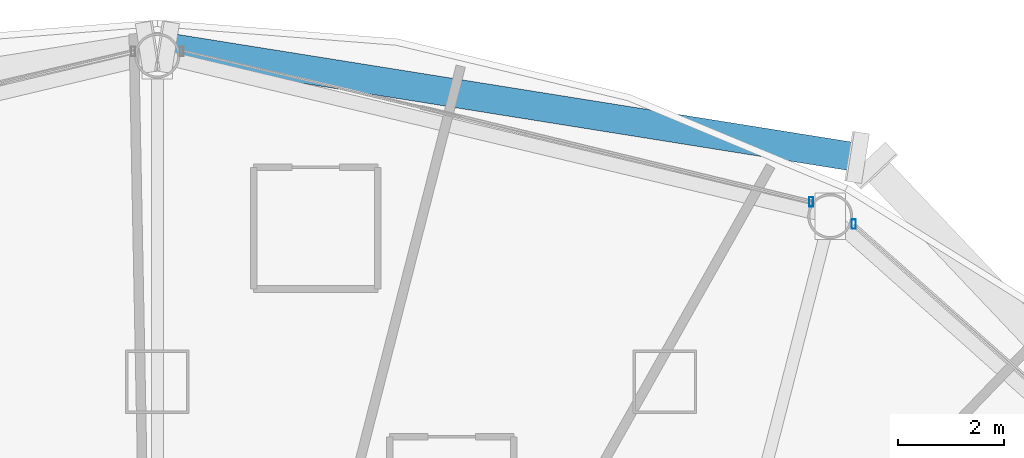
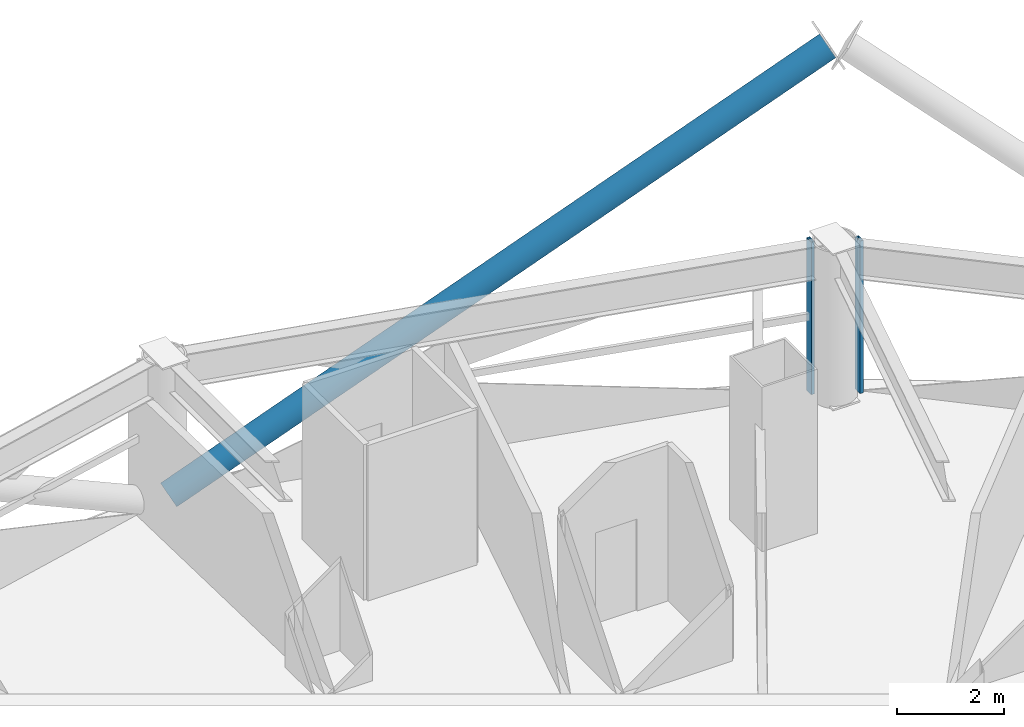
# One storey, part 19 of 31: 3 members, 2 elements without a shape of their own.
"""IFC4 building model written with IfcOpenShell, lengths in metres."""

from ifc_helpers import new_model, si_unit, direction, frame, origin, origin_2d, place, context, subcontext, project, spatial, hollow_rectangle, hollow_circle, extrude, material, layer, layer_set, material_profile, profile_set, type_object, element, aggregate, save


model = new_model("IFC4")

# Units and contexts
model_context = context("Model", 3, precision=1e-05, world=origin(), true_north=direction((0.0, 1.0)))
body_context = subcontext(model_context, "Body", "Model", "MODEL_VIEW")
ifc_project = project(units=[si_unit("LENGTHUNIT", "METRE"), si_unit("AREAUNIT", "SQUARE_METRE"), si_unit("VOLUMEUNIT", "CUBIC_METRE"), si_unit("PLANEANGLEUNIT", "RADIAN"), si_unit("MASSUNIT", "GRAM", prefix="KILO")], contexts=[model_context])

# Site, building, storey
site_placement = place(None, origin())
site = spatial("IfcSite", under=ifc_project, at=site_placement, CompositionType="ELEMENT")
building_placement = place(site_placement, origin())
building = spatial("IfcBuilding", under=site, at=building_placement, Name="Vantalir Tower", CompositionType="ELEMENT")
storey_placement = place(building_placement, frame((0.0, 0.0, 34.5)))
storey = spatial("IfcBuildingStorey", under=building, at=storey_placement, Name="L07", CompositionType="ELEMENT", Elevation=34.5)

# Curtain wall, member
ifc_material_1 = material(Name="Champagne-silver PVDF aluminium and double-silver Low-E glass", Category="aluminium")
ifc_layer = layer(ifc_material_1, 0.18994140625)
ifc_layer_set = layer_set([ifc_layer], Name="Champagne-silver PVDF aluminium and double-silver Low-E glass")
curtain_wall_type = type_object("IfcCurtainWallType", Name="CW-DIAMOND-Z1", PredefinedType="USERDEFINED", material=ifc_layer_set)
curtain_wall_1_placement = place(storey_placement, origin())
curtain_wall_1 = element("IfcCurtainWall", 1, at=curtain_wall_1_placement, inside=storey, type_object=curtain_wall_type, Name="L07 Quilted Pyramid-Diamond Curtain Wall S02", ObjectType="UNITISED CURTAIN WALL", PredefinedType="USERDEFINED")
ifc_material_2 = material(Name="Champagne-silver PVDF aluminium 6063-T6", Category="aluminium")
ifc_material_profile_1 = material_profile(ifc_material_2, hollow_rectangle(XDim=0.074951171875, YDim=0.179931640625, WallThickness=0.00390625, at=origin_2d()), Name="Champagne-silver PVDF aluminium 6063-T6")
ifc_profile_set_1 = profile_set([ifc_material_profile_1], Name="Champagne-silver PVDF aluminium 6063-T6")
member_type_1 = type_object("IfcMemberType", Name="CWM-180x75", PredefinedType="MULLION", material=ifc_profile_set_1)
member_1_placement = place(storey_placement, frame((44.6708984375, 44.47900390625, 0.044921875), z_axis=(0.0, 0.0, 1.0), x_axis=(1.0, 0.0, 0.0)))
member_1 = element("IfcMember", 2, at=member_1_placement, type_object=member_type_1, Name="CW-L07-S02 Mullion 2", PredefinedType="MULLION", context=body_context, shape_type="SweptSolid", body=[
    extrude(hollow_rectangle(XDim=0.074951171875, YDim=0.179931640625, WallThickness=0.00390625, at=origin_2d()), origin(), (0.0, 0.0, 1.0), 3.47998046875),
])
aggregate(curtain_wall_1, [member_1])

curtain_wall_2_placement = place(storey_placement, origin())
curtain_wall_2 = element("IfcCurtainWall", 3, at=curtain_wall_2_placement, inside=storey, type_object=curtain_wall_type, Name="L07 Quilted Pyramid-Diamond Curtain Wall S03", ObjectType="UNITISED CURTAIN WALL", PredefinedType="USERDEFINED")
member_2_placement = place(storey_placement, frame((43.863037109375, 44.90087890625, 0.044921875), z_axis=(0.0, 0.0, 1.0), x_axis=(1.0, 0.0, 0.0)))
member_2 = element("IfcMember", 4, at=member_2_placement, type_object=member_type_1, Name="CW-L07-S03 Mullion 1", PredefinedType="MULLION", context=body_context, shape_type="SweptSolid", body=[
    extrude(hollow_rectangle(XDim=0.074951171875, YDim=0.179931640625, WallThickness=0.00390625, at=origin_2d()), origin(), (0.0, 0.0, 1.0), 3.47998046875),
])
aggregate(curtain_wall_2, [member_2])

# Member
ifc_material_3 = material(Name="Steel S460", Category="steel")
ifc_material_profile_2 = material_profile(ifc_material_3, hollow_circle(Radius=0.27001953125, WallThickness=0.044921875, at=origin_2d()), Name="Steel S460")
ifc_profile_set_2 = profile_set([ifc_material_profile_2], Name="Steel S460")
member_type_2 = type_object("IfcMemberType", Name="MEM-DB-540x45", PredefinedType="BRACE", material=ifc_profile_set_2)
member_3_placement = place(storey_placement, frame((31.69189453125, 47.822998046875, 0.18310546875), z_axis=(0.873620305221, -0.139451896965, 0.466198166812), x_axis=(0.15762970392, 0.987498291868, 0.0)))
element("IfcMember", 5, at=member_3_placement, inside=storey, type_object=member_type_2, Name="L07 Perimeter S460 Diagrid Brace R10R", PredefinedType="BRACE", context=body_context, shape_type="SweptSolid", body=[
    extrude(hollow_circle(Radius=0.27001953125, WallThickness=0.044921875, at=origin_2d()), origin(), (0.0, 0.0, 1.0), 14.916015625),
])

save(model, "model.ifc")
